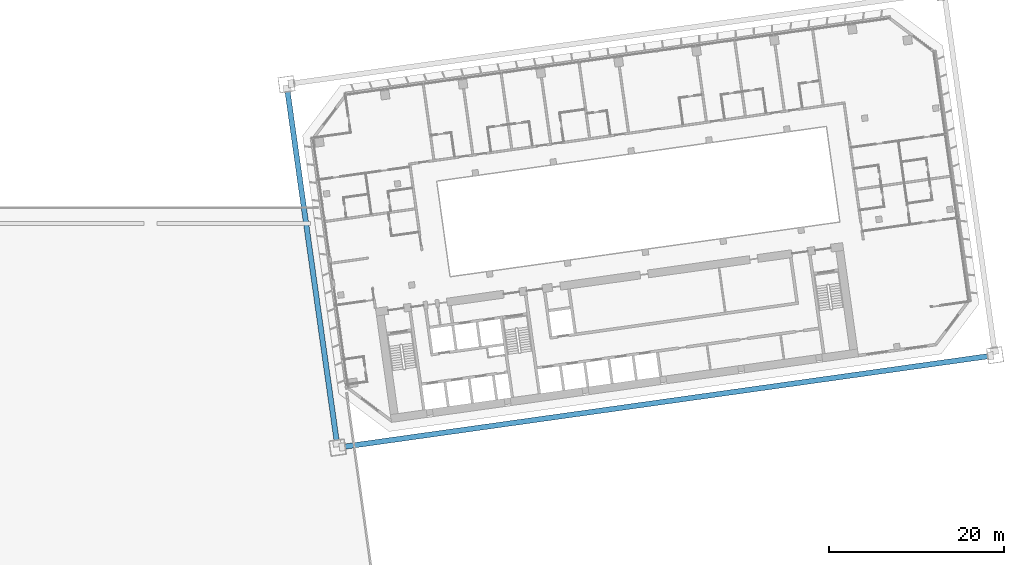
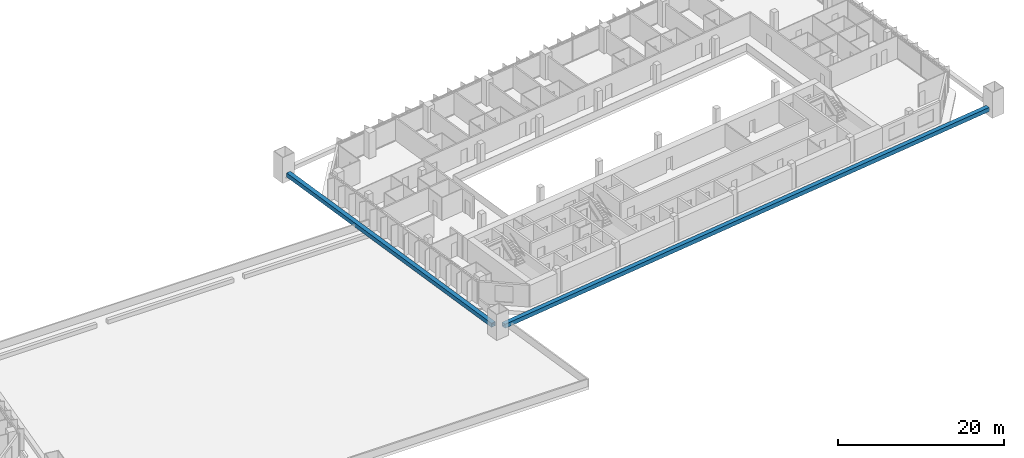
# One storey, part 14 of 46: 2 members.
"""IFC4 building model written with IfcOpenShell, lengths in metres."""

import ifcopenshell
import ifcopenshell.guid

model = None  # the IFC model being written
_history = None  # IfcOwnerHistory: only IFC2X3 demands one
_inside = {}  # id of a spatial element -> (the spatial element, [elements in it])
_under = {}  # id of a project, library or spatial element -> (it, [spatial elements below it])
_declared = {}  # id of a project -> (the project, [libraries it declares])
_typed = {}  # id of a type object -> (the type object, [elements of that type])
_made_of = {}  # id of a material, layer set ... -> (it, [elements and type objects made of it])


def new_model(schema):
    """Start an empty IFC model of exactly this schema.

    Asked for "IFC4X3", IfcOpenShell would pick the latest addendum, in which some entities
    have other attributes; the version numbers below select the first issue.
    IFC2X3 requires an IfcOwnerHistory on every rooted entity: one is made here for all.
    """
    global model, _history
    if schema == "IFC4X3":
        model = ifcopenshell.file(schema_version=(4, 3, 0, 0))
    else:
        model = ifcopenshell.file(schema=schema)
    _inside.clear()
    _under.clear()
    _declared.clear()
    _typed.clear()
    _made_of.clear()
    _history = None
    if model.schema == "IFC2X3":
        org = make("IfcOrganization", Name="unknown")
        user = make(
            "IfcPersonAndOrganization",
            ThePerson=make("IfcPerson", FamilyName="unknown"),
            TheOrganization=org,
        )
        app = make(
            "IfcApplication",
            ApplicationDeveloper=org,
            Version="unknown",
            ApplicationFullName="unknown",
            ApplicationIdentifier="unknown",
        )
        _history = make(
            "IfcOwnerHistory",
            OwningUser=user,
            OwningApplication=app,
            ChangeAction="ADDED",
            CreationDate=0,
        )
    return model


def make(cls, **values):
    """One entity of the class cls with the attributes given. An attribute that is None is left unset."""
    return model.create_entity(
        cls, **{name: value for name, value in values.items() if value is not None}
    )


def rooted(cls, **values):
    """An entity with a GlobalId (a new one), such as an element, a storey or a relation."""
    return make(cls, GlobalId=ifcopenshell.guid.new(), OwnerHistory=_history, **values)


def si_unit(unit_type, name, prefix=None):
    """IfcSIUnit, for example si_unit("LENGTHUNIT", "METRE", prefix="MILLI")."""
    return make("IfcSIUnit", UnitType=unit_type, Prefix=prefix, Name=name)


def assignment(units):
    """IfcUnitAssignment: the units of a project."""
    return None if units is None else make("IfcUnitAssignment", Units=units)


def point(xyz):
    """IfcCartesianPoint."""
    return None if xyz is None else make("IfcCartesianPoint", Coordinates=xyz)


def direction(xyz):
    """IfcDirection."""
    return None if xyz is None else make("IfcDirection", DirectionRatios=xyz)


def frame(location, z_axis=None, x_axis=None):
    """IfcAxis2Placement3D, a coordinate frame: its origin and axes. An axis left out is left unset."""
    return make(
        "IfcAxis2Placement3D",
        Location=point(location),
        Axis=direction(z_axis),
        RefDirection=direction(x_axis),
    )


def frame_2d(location, x_axis=None):
    """IfcAxis2Placement2D, a coordinate frame in the plane: its origin and x axis."""
    return make(
        "IfcAxis2Placement2D", Location=point(location), RefDirection=direction(x_axis)
    )


def origin():
    """The frame at (0, 0, 0) with its axes left unset."""
    return frame((0.0, 0.0, 0.0))


def origin_2d():
    """The frame at (0, 0) in the plane with its x axis left unset."""
    return frame_2d((0.0, 0.0))


def place(relative_to, where):
    """IfcLocalPlacement: puts the frame where relative to a parent placement (None: the world)."""
    return make(
        "IfcLocalPlacement", PlacementRelTo=relative_to, RelativePlacement=where
    )


def context(
    kind, dimensions, precision=None, world=None, true_north=None, identifier=None
):
    """IfcGeometricRepresentationContext, for example the 3D "Model" context."""
    return make(
        "IfcGeometricRepresentationContext",
        ContextIdentifier=identifier,
        ContextType=kind,
        CoordinateSpaceDimension=dimensions,
        Precision=precision,
        WorldCoordinateSystem=world,
        TrueNorth=true_north,
    )


def subcontext(parent, identifier, kind, view, scale=None):
    """IfcGeometricRepresentationSubContext, for example "Body" below "Model"."""
    return make(
        "IfcGeometricRepresentationSubContext",
        ContextIdentifier=identifier,
        ContextType=kind,
        ParentContext=parent,
        TargetScale=scale,
        TargetView=view,
    )


def project(units=None, contexts=None):
    """IfcProject with its units and contexts."""
    return rooted(
        "IfcProject",
        Name="project",
        RepresentationContexts=contexts,
        UnitsInContext=assignment(units),
    )


def spatial(cls, under=None, at=None, **own):
    """A site, building, storey or space (cls), placed at a placement, below another one or the project."""
    s = rooted(cls, ObjectPlacement=at, **own)
    if under is not None:
        _under.setdefault(under.id(), (under, []))[1].append(s)
    return s


def profile(cls, at=None, kind="AREA", **sizes):
    """A parametric profile (cls). Its sizes go by their IFC names, for example OverallWidth=200.0."""
    return make(cls, ProfileType=kind, Position=at, **sizes)


def hollow_rectangle(**sizes):
    """IfcRectangleHollowProfileDef."""
    return profile("IfcRectangleHollowProfileDef", **sizes)


def extrude(swept, where, along, depth):
    """IfcExtrudedAreaSolid: the profile swept, set in the frame where, extruded along a direction by depth."""
    return make(
        "IfcExtrudedAreaSolid",
        SweptArea=swept,
        Position=where,
        ExtrudedDirection=direction(along),
        Depth=depth,
    )


def shape(context_of_items, identifier, shape_type, items):
    """IfcShapeRepresentation: the items that make up one representation, for example the "Body"."""
    return make(
        "IfcShapeRepresentation",
        ContextOfItems=context_of_items,
        RepresentationIdentifier=identifier,
        RepresentationType=shape_type,
        Items=items,
    )


def material(Name=None, Category=None):
    """IfcMaterial."""
    return make("IfcMaterial", Name=Name, Category=Category)


def material_profile(
    of_material, cross_section, Name=None, Category=None, Priority=None
):
    """IfcMaterialProfile: a cross section and its material."""
    return make(
        "IfcMaterialProfile",
        Name=Name,
        Material=of_material,
        Profile=cross_section,
        Priority=Priority,
        Category=Category,
    )


def profile_set(profiles, Name=None, composite=None):
    """IfcMaterialProfileSet."""
    return make(
        "IfcMaterialProfileSet",
        Name=Name,
        MaterialProfiles=profiles,
        CompositeProfile=composite,
    )


def made_of(thing, what):
    """Note that an element or type object is made of a material, layer set ...; save() writes the relation."""
    if what is not None:
        _made_of.setdefault(what.id(), (what, []))[1].append(thing)
    return thing


def type_object(cls, material=None, **own):
    """A type object (cls), such as IfcWallType, which elements share."""
    return made_of(rooted(cls, **own), material)


def element(
    cls,
    number,
    at=None,
    inside=None,
    cuts=None,
    type_object=None,
    material=None,
    context=None,
    identifier="Body",
    shape_type=None,
    held_by="IfcProductDefinitionShape",
    body=None,
    shapes=None,
    **own,
):
    """One element of the class cls, such as IfcWall. Its Tag is "e" and its number.

    at: its placement. inside: the storey or other place that contains it. cuts: it is an
    opening in that element (IfcRelVoidsElement). A single representation is given by context,
    identifier, shape_type and body (its items); several are given by shapes. held_by: the class
    of the entity that holds the representations. save() writes the other relations.
    """
    e = rooted(cls, Tag="e%d" % number, ObjectPlacement=at, **own)
    if body is not None:
        shapes = [shape(context, identifier, shape_type, body)]
    if shapes is not None:
        e.Representation = make(held_by, Representations=shapes)
    if inside is not None:
        _inside.setdefault(inside.id(), (inside, []))[1].append(e)
    if cuts is not None:
        rooted(
            "IfcRelVoidsElement", RelatingBuildingElement=cuts, RelatedOpeningElement=e
        )
    if type_object is not None:
        _typed.setdefault(type_object.id(), (type_object, []))[1].append(e)
    return made_of(e, material)


def aggregate(whole, parts):
    """IfcRelAggregates: a whole, such as a stair, and the parts it consists of."""
    return rooted("IfcRelAggregates", RelatingObject=whole, RelatedObjects=parts)


def save(model, path):
    """Write the relations noted so far, then the file.

    IfcRelAggregates (storeys below a building ...), IfcRelContainedInSpatialStructure (elements
    in a storey), IfcRelDefinesByType, IfcRelAssociatesMaterial and IfcRelDeclares: one each for
    every whole, place, type object, material and project.
    """
    for whole, parts in _under.values():
        aggregate(whole, parts)
    for where, things in _inside.values():
        rooted(
            "IfcRelContainedInSpatialStructure",
            RelatedElements=things,
            RelatingStructure=where,
        )
    for kind, things in _typed.values():
        rooted("IfcRelDefinesByType", RelatedObjects=things, RelatingType=kind)
    for what, things in _made_of.values():
        rooted("IfcRelAssociatesMaterial", RelatedObjects=things, RelatingMaterial=what)
    for by, libraries in _declared.values():
        rooted("IfcRelDeclares", RelatingContext=by, RelatedDefinitions=libraries)
    model.write(path)


model = new_model("IFC4")

# Units and contexts
model_context = context("Model", 3, precision=1e-05, world=origin(), true_north=direction((0.0, 1.0)))
body_context = subcontext(model_context, "Body", "Model", "MODEL_VIEW")
ifc_project = project(units=[si_unit("LENGTHUNIT", "METRE"), si_unit("AREAUNIT", "SQUARE_METRE"), si_unit("VOLUMEUNIT", "CUBIC_METRE"), si_unit("PLANEANGLEUNIT", "RADIAN"), si_unit("MASSUNIT", "GRAM", prefix="KILO")], contexts=[model_context])

# Site, building, storey
site_placement = place(None, origin())
site = spatial("IfcSite", under=ifc_project, at=site_placement, CompositionType="ELEMENT")
building_placement = place(site_placement, origin())
building = spatial("IfcBuilding", under=site, at=building_placement, Name="Mirante Cascada Hotel Towers", CompositionType="ELEMENT")
storey_placement = place(building_placement, frame((0.0, 0.0, 39.5)))
storey = spatial("IfcBuildingStorey", under=building, at=storey_placement, Name="L06", CompositionType="ELEMENT", Elevation=39.5)

# Members
ifc_material = material(Name="Steel ASTM A572 Gr 50", Category="steel")
ifc_material_profile = material_profile(ifc_material, hollow_rectangle(XDim=0.6, YDim=0.6, WallThickness=0.04, at=origin_2d()), Name="Box chord 600x600x40 ASTM A572 Gr 50")
ifc_profile_set = profile_set([ifc_material_profile], Name="Steel ASTM A572 Gr 50")
member_type = type_object("IfcMemberType", Name="Box chord 600x600x40 ASTM A572 Gr 50", PredefinedType="CHORD", material=ifc_profile_set)
member_1_placement = place(storey_placement, frame((31.8135, -22.9515, 1.0), z_axis=(0.9902681, 0.139173, 0.0), x_axis=(-0.139173, 0.9902681, 0.0)))
element("IfcMember", 1, at=member_1_placement, inside=storey, type_object=member_type, Name="exochord T2 L06 2", PredefinedType="CHORD", context=body_context, shape_type="SweptSolid", body=[
    extrude(hollow_rectangle(XDim=0.6, YDim=0.6, WallThickness=0.04, at=origin_2d()), origin(), (0.0, 0.0, 1.0), 74.24),
])
member_2_placement = place(storey_placement, frame((30.8196, -22.2025, 1.0), z_axis=(-0.1391728, 0.9902681, 0.0), x_axis=(-0.9902681, -0.1391728, 0.0)))
element("IfcMember", 2, at=member_2_placement, inside=storey, type_object=member_type, Name="exochord T2 L06 3", PredefinedType="CHORD", context=body_context, shape_type="SweptSolid", body=[
    extrude(hollow_rectangle(XDim=0.6, YDim=0.6, WallThickness=0.04, at=origin_2d()), origin(), (0.0, 0.0, 1.0), 40.2399),
])

save(model, "model.ifc")
